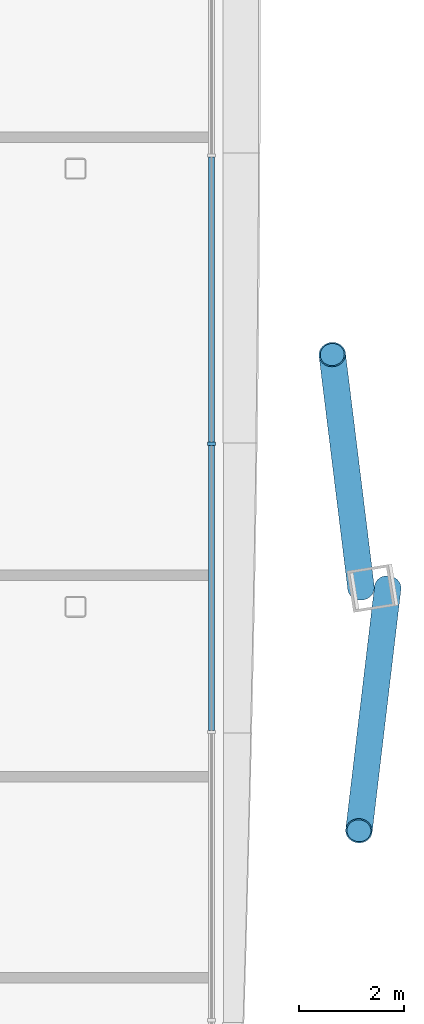
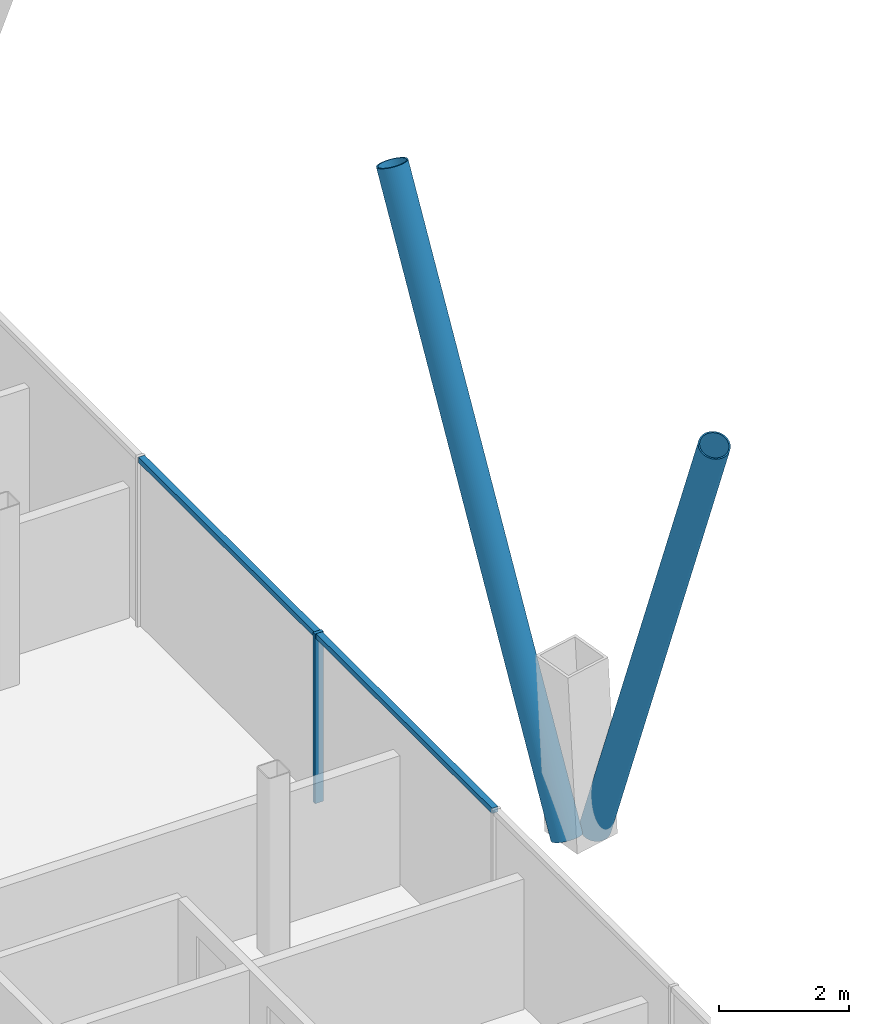
# One storey, part 8 of 22: 5 members, 1 element without a shape of its own.
"""IFC4 building model written with IfcOpenShell, lengths in metres."""

from ifc_helpers import new_model, si_unit, direction, frame, origin, origin_2d, place, context, subcontext, project, spatial, rectangle, hollow_circle, extrude, material, material_profile, profile_set, type_object, element, aggregate, save


model = new_model("IFC4")

# Units and contexts
model_context = context("Model", 3, precision=1e-05, world=origin(), true_north=direction((0.0, 1.0)))
body_context = subcontext(model_context, "Body", "Model", "MODEL_VIEW")
ifc_project = project(units=[si_unit("LENGTHUNIT", "METRE"), si_unit("AREAUNIT", "SQUARE_METRE"), si_unit("VOLUMEUNIT", "CUBIC_METRE"), si_unit("PLANEANGLEUNIT", "RADIAN"), si_unit("MASSUNIT", "GRAM", prefix="KILO")], contexts=[model_context])

# Site, building, storey
site_placement = place(None, origin())
site = spatial("IfcSite", under=ifc_project, at=site_placement, CompositionType="ELEMENT")
building_placement = place(site_placement, origin())
building = spatial("IfcBuilding", under=site, at=building_placement, Name="Tskaro Facet Tower", CompositionType="ELEMENT")
storey_placement = place(building_placement, frame((0.0, 0.0, 121.5)))
storey = spatial("IfcBuildingStorey", under=building, at=storey_placement, Name="L28", CompositionType="ELEMENT", Elevation=121.5)

# Members
ifc_material_1 = material(Name="Steel S355J2H", Category="steel")
ifc_material_profile_1 = material_profile(ifc_material_1, hollow_circle(Radius=0.25390625, WallThickness=0.02490234375, at=origin_2d()), Name="CHS 508x25")
ifc_profile_set_1 = profile_set([ifc_material_profile_1], Name="Steel S355J2H")
member_type_1 = type_object("IfcMemberType", Name="CHS 508x25 brace", PredefinedType="BRACE", material=ifc_profile_set_1)
member_1_placement = place(storey_placement, frame((29.720947265625, -0.95703125, 0.0), z_axis=(-0.048840266539, -0.412344238721, 0.909718009692), x_axis=(0.993058302585, -0.117623159566, 0.0)))
element("IfcMember", 1, at=member_1_placement, inside=storey, type_object=member_type_1, Name="CHS 508x25 XB04B/3", PredefinedType="BRACE", context=body_context, shape_type="SweptSolid", body=[
    extrude(hollow_circle(Radius=0.25390625, WallThickness=0.02490234375, at=origin_2d()), origin(), (0.0, 0.0, 1.0), 11.212158203125),
])
member_2_placement = place(storey_placement, frame((29.212890625, -0.95703125, 0.0), z_axis=(-0.049158993374, 0.398948353269, 0.915654741043), x_axis=(-0.992493610246, -0.122296498807, 0.0)))
element("IfcMember", 2, at=member_2_placement, inside=storey, type_object=member_type_1, Name="CHS 508x25 XB05A/3", PredefinedType="BRACE", context=body_context, shape_type="SweptSolid", body=[
    extrude(hollow_circle(Radius=0.25390625, WallThickness=0.02490234375, at=origin_2d()), origin(), (0.0, 0.0, 1.0), 11.139404296875),
])

# Curtain wall, members
ifc_material_2 = material(Name="Bronze anodised aluminium 6063-T6", Category="aluminium")
curtain_wall_type = type_object("IfcCurtainWallType", Name="Bronze hotel curtain wall (FW2)", PredefinedType="NOTDEFINED", material=ifc_material_2)
curtain_wall_placement = place(storey_placement, origin())
curtain_wall = element("IfcCurtainWall", 3, at=curtain_wall_placement, inside=storey, type_object=curtain_wall_type, Name="FW2 east facet L28", PredefinedType="NOTDEFINED")
ifc_material_profile_2 = material_profile(ifc_material_2, rectangle(XDim=0.06005859375, YDim=0.14990234375, at=origin_2d()), Name="Mullion 60x150")
ifc_profile_set_2 = profile_set([ifc_material_profile_2], Name="Bronze anodised aluminium 6063-T6")
member_type_2 = type_object("IfcMemberType", Name="FW2 bronze mullion 60x150", PredefinedType="MULLION", material=ifc_profile_set_2)
member_3_placement = place(storey_placement, frame((26.366943359375, 1.78759765625, 0.0), z_axis=(0.0, 0.0, 1.0), x_axis=(0.0, 1.0, 0.0)))
member_3 = element("IfcMember", 4, at=member_3_placement, type_object=member_type_2, Name="FW2 east mullion 4", PredefinedType="MULLION", context=body_context, shape_type="SweptSolid", body=[
    extrude(rectangle(XDim=0.06005859375, YDim=0.14990234375, at=origin_2d()), origin(), (0.0, 0.0, 1.0), 3.199951171875),
])
ifc_material_profile_3 = material_profile(ifc_material_2, rectangle(XDim=0.110107421875, YDim=0.10009765625, at=origin_2d()), Name="Transom 110x100")
ifc_profile_set_3 = profile_set([ifc_material_profile_3], Name="Bronze anodised aluminium 6063-T6")
member_type_3 = type_object("IfcMemberType", Name="FW2 bronze transom 110x100", PredefinedType="USERDEFINED", material=ifc_profile_set_3)
member_4_placement = place(storey_placement, frame((26.366943359375, -3.670654296875, 3.14990234375), z_axis=(0.0, 1.0, 0.0), x_axis=(-1.0, 0.0, 0.0)))
member_4 = element("IfcMember", 5, at=member_4_placement, type_object=member_type_3, Name="FW2 east transom 4.1", ObjectType="TRANSOM", PredefinedType="USERDEFINED", context=body_context, shape_type="SweptSolid", body=[
    extrude(rectangle(XDim=0.110107421875, YDim=0.10009765625, at=origin_2d()), origin(), (0.0, 0.0, 1.0), 5.428466796875),
])
member_5_placement = place(storey_placement, frame((26.366943359375, 1.817626953125, 3.14990234375), z_axis=(0.0, 1.0, 0.0), x_axis=(-1.0, 0.0, 0.0)))
member_5 = element("IfcMember", 6, at=member_5_placement, type_object=member_type_3, Name="FW2 east transom 5.1", ObjectType="TRANSOM", PredefinedType="USERDEFINED", context=body_context, shape_type="SweptSolid", body=[
    extrude(rectangle(XDim=0.110107421875, YDim=0.10009765625, at=origin_2d()), origin(), (0.0, 0.0, 1.0), 5.428466796875),
])
aggregate(curtain_wall, [member_3, member_4, member_5])

save(model, "model.ifc")
